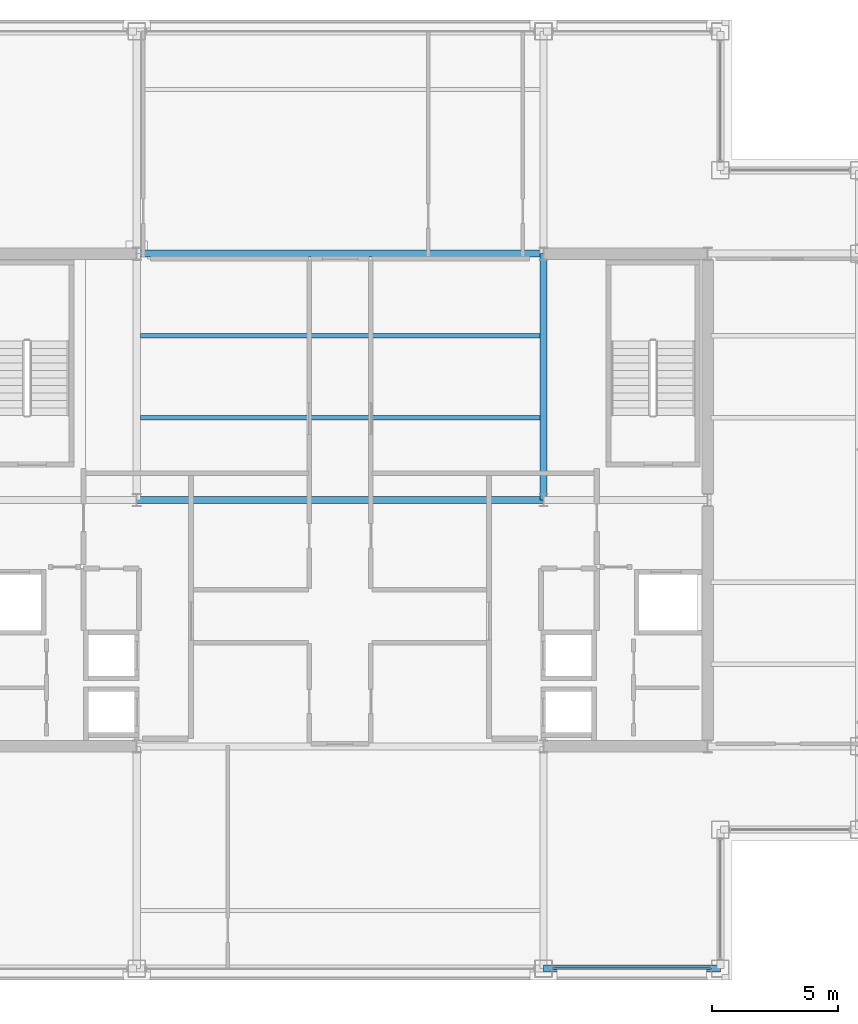
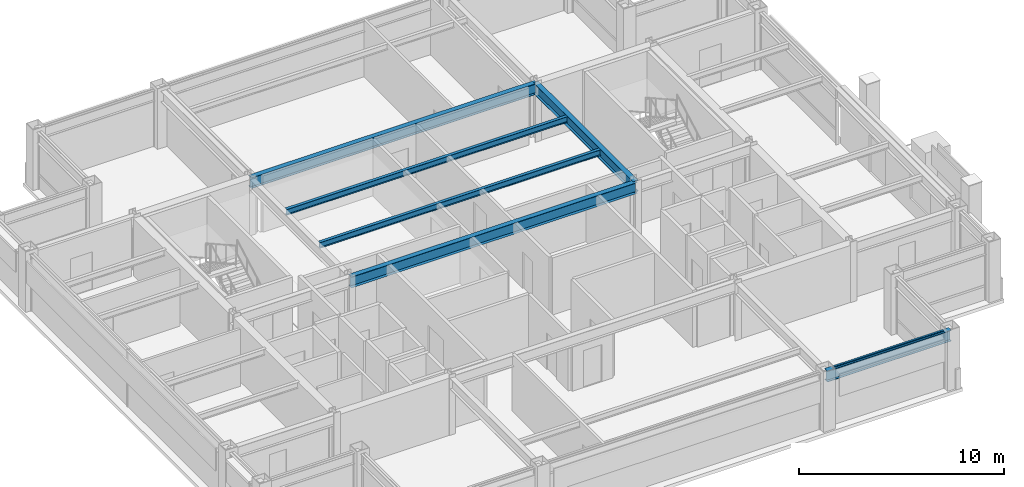
# One storey, part 11 of 28: 6 beams, 1 member, 1 element without a shape of its own.
"""IFC4 building model written with IfcOpenShell, lengths in metres."""

import ifcopenshell
import ifcopenshell.guid

model = None  # the IFC model being written
_history = None  # IfcOwnerHistory: only IFC2X3 demands one
_inside = {}  # id of a spatial element -> (the spatial element, [elements in it])
_under = {}  # id of a project, library or spatial element -> (it, [spatial elements below it])
_declared = {}  # id of a project -> (the project, [libraries it declares])
_typed = {}  # id of a type object -> (the type object, [elements of that type])
_made_of = {}  # id of a material, layer set ... -> (it, [elements and type objects made of it])


def new_model(schema):
    """Start an empty IFC model of exactly this schema.

    Asked for "IFC4X3", IfcOpenShell would pick the latest addendum, in which some entities
    have other attributes; the version numbers below select the first issue.
    IFC2X3 requires an IfcOwnerHistory on every rooted entity: one is made here for all.
    """
    global model, _history
    if schema == "IFC4X3":
        model = ifcopenshell.file(schema_version=(4, 3, 0, 0))
    else:
        model = ifcopenshell.file(schema=schema)
    _inside.clear()
    _under.clear()
    _declared.clear()
    _typed.clear()
    _made_of.clear()
    _history = None
    if model.schema == "IFC2X3":
        org = make("IfcOrganization", Name="unknown")
        user = make(
            "IfcPersonAndOrganization",
            ThePerson=make("IfcPerson", FamilyName="unknown"),
            TheOrganization=org,
        )
        app = make(
            "IfcApplication",
            ApplicationDeveloper=org,
            Version="unknown",
            ApplicationFullName="unknown",
            ApplicationIdentifier="unknown",
        )
        _history = make(
            "IfcOwnerHistory",
            OwningUser=user,
            OwningApplication=app,
            ChangeAction="ADDED",
            CreationDate=0,
        )
    return model


def make(cls, **values):
    """One entity of the class cls with the attributes given. An attribute that is None is left unset."""
    return model.create_entity(
        cls, **{name: value for name, value in values.items() if value is not None}
    )


def rooted(cls, **values):
    """An entity with a GlobalId (a new one), such as an element, a storey or a relation."""
    return make(cls, GlobalId=ifcopenshell.guid.new(), OwnerHistory=_history, **values)


def si_unit(unit_type, name, prefix=None):
    """IfcSIUnit, for example si_unit("LENGTHUNIT", "METRE", prefix="MILLI")."""
    return make("IfcSIUnit", UnitType=unit_type, Prefix=prefix, Name=name)


def assignment(units):
    """IfcUnitAssignment: the units of a project."""
    return None if units is None else make("IfcUnitAssignment", Units=units)


def point(xyz):
    """IfcCartesianPoint."""
    return None if xyz is None else make("IfcCartesianPoint", Coordinates=xyz)


def direction(xyz):
    """IfcDirection."""
    return None if xyz is None else make("IfcDirection", DirectionRatios=xyz)


def frame(location, z_axis=None, x_axis=None):
    """IfcAxis2Placement3D, a coordinate frame: its origin and axes. An axis left out is left unset."""
    return make(
        "IfcAxis2Placement3D",
        Location=point(location),
        Axis=direction(z_axis),
        RefDirection=direction(x_axis),
    )


def frame_2d(location, x_axis=None):
    """IfcAxis2Placement2D, a coordinate frame in the plane: its origin and x axis."""
    return make(
        "IfcAxis2Placement2D", Location=point(location), RefDirection=direction(x_axis)
    )


def origin():
    """The frame at (0, 0, 0) with its axes left unset."""
    return frame((0.0, 0.0, 0.0))


def origin_2d():
    """The frame at (0, 0) in the plane with its x axis left unset."""
    return frame_2d((0.0, 0.0))


def place(relative_to, where):
    """IfcLocalPlacement: puts the frame where relative to a parent placement (None: the world)."""
    return make(
        "IfcLocalPlacement", PlacementRelTo=relative_to, RelativePlacement=where
    )


def context(
    kind, dimensions, precision=None, world=None, true_north=None, identifier=None
):
    """IfcGeometricRepresentationContext, for example the 3D "Model" context."""
    return make(
        "IfcGeometricRepresentationContext",
        ContextIdentifier=identifier,
        ContextType=kind,
        CoordinateSpaceDimension=dimensions,
        Precision=precision,
        WorldCoordinateSystem=world,
        TrueNorth=true_north,
    )


def subcontext(parent, identifier, kind, view, scale=None):
    """IfcGeometricRepresentationSubContext, for example "Body" below "Model"."""
    return make(
        "IfcGeometricRepresentationSubContext",
        ContextIdentifier=identifier,
        ContextType=kind,
        ParentContext=parent,
        TargetScale=scale,
        TargetView=view,
    )


def project(units=None, contexts=None):
    """IfcProject with its units and contexts."""
    return rooted(
        "IfcProject",
        Name="project",
        RepresentationContexts=contexts,
        UnitsInContext=assignment(units),
    )


def spatial(cls, under=None, at=None, **own):
    """A site, building, storey or space (cls), placed at a placement, below another one or the project."""
    s = rooted(cls, ObjectPlacement=at, **own)
    if under is not None:
        _under.setdefault(under.id(), (under, []))[1].append(s)
    return s


def profile(cls, at=None, kind="AREA", **sizes):
    """A parametric profile (cls). Its sizes go by their IFC names, for example OverallWidth=200.0."""
    return make(cls, ProfileType=kind, Position=at, **sizes)


def hollow_rectangle(**sizes):
    """IfcRectangleHollowProfileDef."""
    return profile("IfcRectangleHollowProfileDef", **sizes)


def i_section(**sizes):
    """IfcIShapeProfileDef."""
    return profile("IfcIShapeProfileDef", **sizes)


def extrude(swept, where, along, depth):
    """IfcExtrudedAreaSolid: the profile swept, set in the frame where, extruded along a direction by depth."""
    return make(
        "IfcExtrudedAreaSolid",
        SweptArea=swept,
        Position=where,
        ExtrudedDirection=direction(along),
        Depth=depth,
    )


def shape(context_of_items, identifier, shape_type, items):
    """IfcShapeRepresentation: the items that make up one representation, for example the "Body"."""
    return make(
        "IfcShapeRepresentation",
        ContextOfItems=context_of_items,
        RepresentationIdentifier=identifier,
        RepresentationType=shape_type,
        Items=items,
    )


def material(Name=None, Category=None):
    """IfcMaterial."""
    return make("IfcMaterial", Name=Name, Category=Category)


def layer(
    of_material, thickness, ventilated=None, Name=None, Category=None, Priority=None
):
    """IfcMaterialLayer: one layer of a wall or slab, of a material (None: an air gap)."""
    return make(
        "IfcMaterialLayer",
        Material=of_material,
        LayerThickness=thickness,
        IsVentilated=ventilated,
        Name=Name,
        Category=Category,
        Priority=Priority,
    )


def layer_set(layers, Name=None):
    """IfcMaterialLayerSet."""
    return make("IfcMaterialLayerSet", MaterialLayers=layers, LayerSetName=Name)


def material_profile(
    of_material, cross_section, Name=None, Category=None, Priority=None
):
    """IfcMaterialProfile: a cross section and its material."""
    return make(
        "IfcMaterialProfile",
        Name=Name,
        Material=of_material,
        Profile=cross_section,
        Priority=Priority,
        Category=Category,
    )


def profile_set(profiles, Name=None, composite=None):
    """IfcMaterialProfileSet."""
    return make(
        "IfcMaterialProfileSet",
        Name=Name,
        MaterialProfiles=profiles,
        CompositeProfile=composite,
    )


def made_of(thing, what):
    """Note that an element or type object is made of a material, layer set ...; save() writes the relation."""
    if what is not None:
        _made_of.setdefault(what.id(), (what, []))[1].append(thing)
    return thing


def type_object(cls, material=None, **own):
    """A type object (cls), such as IfcWallType, which elements share."""
    return made_of(rooted(cls, **own), material)


def element(
    cls,
    number,
    at=None,
    inside=None,
    cuts=None,
    type_object=None,
    material=None,
    context=None,
    identifier="Body",
    shape_type=None,
    held_by="IfcProductDefinitionShape",
    body=None,
    shapes=None,
    **own,
):
    """One element of the class cls, such as IfcWall. Its Tag is "e" and its number.

    at: its placement. inside: the storey or other place that contains it. cuts: it is an
    opening in that element (IfcRelVoidsElement). A single representation is given by context,
    identifier, shape_type and body (its items); several are given by shapes. held_by: the class
    of the entity that holds the representations. save() writes the other relations.
    """
    e = rooted(cls, Tag="e%d" % number, ObjectPlacement=at, **own)
    if body is not None:
        shapes = [shape(context, identifier, shape_type, body)]
    if shapes is not None:
        e.Representation = make(held_by, Representations=shapes)
    if inside is not None:
        _inside.setdefault(inside.id(), (inside, []))[1].append(e)
    if cuts is not None:
        rooted(
            "IfcRelVoidsElement", RelatingBuildingElement=cuts, RelatedOpeningElement=e
        )
    if type_object is not None:
        _typed.setdefault(type_object.id(), (type_object, []))[1].append(e)
    return made_of(e, material)


def aggregate(whole, parts):
    """IfcRelAggregates: a whole, such as a stair, and the parts it consists of."""
    return rooted("IfcRelAggregates", RelatingObject=whole, RelatedObjects=parts)


def save(model, path):
    """Write the relations noted so far, then the file.

    IfcRelAggregates (storeys below a building ...), IfcRelContainedInSpatialStructure (elements
    in a storey), IfcRelDefinesByType, IfcRelAssociatesMaterial and IfcRelDeclares: one each for
    every whole, place, type object, material and project.
    """
    for whole, parts in _under.values():
        aggregate(whole, parts)
    for where, things in _inside.values():
        rooted(
            "IfcRelContainedInSpatialStructure",
            RelatedElements=things,
            RelatingStructure=where,
        )
    for kind, things in _typed.values():
        rooted("IfcRelDefinesByType", RelatedObjects=things, RelatingType=kind)
    for what, things in _made_of.values():
        rooted("IfcRelAssociatesMaterial", RelatedObjects=things, RelatingMaterial=what)
    for by, libraries in _declared.values():
        rooted("IfcRelDeclares", RelatingContext=by, RelatedDefinitions=libraries)
    model.write(path)


model = new_model("IFC4")

# Units and contexts
model_context = context("Model", 3, precision=1e-05, world=origin(), true_north=direction((0.0, 1.0)))
body_context = subcontext(model_context, "Body", "Model", "MODEL_VIEW")
ifc_project = project(units=[si_unit("LENGTHUNIT", "METRE"), si_unit("AREAUNIT", "SQUARE_METRE"), si_unit("VOLUMEUNIT", "CUBIC_METRE"), si_unit("PLANEANGLEUNIT", "RADIAN"), si_unit("MASSUNIT", "GRAM", prefix="KILO")], contexts=[model_context])

# Site, building, storey
site_placement = place(None, origin())
site = spatial("IfcSite", under=ifc_project, at=site_placement, CompositionType="ELEMENT")
building_placement = place(site_placement, origin())
building = spatial("IfcBuilding", under=site, at=building_placement, Name="Brelmoor Portico Tower", CompositionType="ELEMENT")
storey_placement = place(building_placement, frame((0.0, 0.0, 191.10009765625)))
storey = spatial("IfcBuildingStorey", under=building, at=storey_placement, Name="L50", CompositionType="ELEMENT", Elevation=191.10009765625)

# Beams
ifc_material_1 = material(Name="Steel Q355B", Category="steel")
ifc_material_profile_1 = material_profile(ifc_material_1, i_section(OverallWidth=0.175048828125, OverallDepth=0.35009765625, WebThickness=0.007080078125, FlangeThickness=0.010986328125, at=origin_2d()), Name="HN 350x175x7x11")
ifc_profile_set_1 = profile_set([ifc_material_profile_1], Name="Steel Q355B")
beam_type_1 = type_object("IfcBeamType", Name="BM-JS-350", PredefinedType="JOIST", material=ifc_profile_set_1)
for number, where, z_axis, x_axis, name in (
    (1, (-7.909912109375, 3.25, 3.224853515625), (1.0, 0.0, 0.0), (0.0, 1.0, 0.0), "L50 Secondary Composite Joist JS-C02"),
    (2, (-7.909912109375, 6.5, 3.224853515625), (1.0, 0.0, 0.0), (0.0, 1.0, 0.0), "L50 Secondary Composite Joist JS-C03"),
):
    element("IfcBeam", number, at=place(storey_placement, frame(where, z_axis=z_axis, x_axis=x_axis)), inside=storey, type_object=beam_type_1, Name=name, PredefinedType="JOIST", context=body_context, shape_type="SweptSolid", body=[
        extrude(i_section(OverallWidth=0.175048828125, OverallDepth=0.35009765625, WebThickness=0.007080078125, FlangeThickness=0.010986328125, at=origin_2d()), origin(), (0.0, 0.0, 1.0), 15.81982421875),
    ])
ifc_material_profile_2 = material_profile(ifc_material_1, i_section(OverallWidth=0.280029296875, OverallDepth=0.64990234375, WebThickness=0.012939453125, FlangeThickness=0.02197265625, at=origin_2d()), Name="HN 650x280x13x22")
ifc_profile_set_2 = profile_set([ifc_material_profile_2], Name="Steel Q355B")
beam_type_2 = type_object("IfcBeamType", Name="BM-PG-650", PredefinedType="BEAM", material=ifc_profile_set_2)
beam_1_placement = place(storey_placement, frame((8.050048828125, 0.0, 3.074951171875), z_axis=(0.0, 1.0, 0.0), x_axis=(-1.0, 0.0, 0.0)))
element("IfcBeam", 3, at=beam_1_placement, inside=storey, type_object=beam_type_2, Name="L50 Primary Floor Girder PG-07", PredefinedType="BEAM", context=body_context, shape_type="SweptSolid", body=[
    extrude(i_section(OverallWidth=0.280029296875, OverallDepth=0.64990234375, WebThickness=0.012939453125, FlangeThickness=0.02197265625, at=origin_2d()), origin(), (0.0, 0.0, 1.0), 9.75),
])
for number, where, z_axis, x_axis, name in (
    (4, (-8.050048828125, 0.0, 3.074951171875), (1.0, 0.0, 0.0), (0.0, 1.0, 0.0), "L50 Primary Floor Girder PG-17"),
    (5, (-8.050048828125, 9.75, 3.074951171875), (1.0, 0.0, 0.0), (0.0, 1.0, 0.0), "L50 Primary Floor Girder PG-21"),
):
    element("IfcBeam", number, at=place(storey_placement, frame(where, z_axis=z_axis, x_axis=x_axis)), inside=storey, type_object=beam_type_2, Name=name, PredefinedType="BEAM", context=body_context, shape_type="SweptSolid", body=[
        extrude(i_section(OverallWidth=0.280029296875, OverallDepth=0.64990234375, WebThickness=0.012939453125, FlangeThickness=0.02197265625, at=origin_2d()), origin(), (0.0, 0.0, 1.0), 16.10009765625),
    ])
ifc_material_profile_3 = material_profile(ifc_material_1, i_section(OverallWidth=0.280029296875, OverallDepth=0.64990234375, WebThickness=0.012939453125, FlangeThickness=0.02197265625, at=origin_2d()), Name="HN 650x280x13x22")
ifc_profile_set_3 = profile_set([ifc_material_profile_3], Name="Steel Q355B")
beam_type_3 = type_object("IfcBeamType", Name="BM-SP-650", PredefinedType="SPANDREL", material=ifc_profile_set_3)
beam_2_placement = place(storey_placement, frame((8.050048828125, -18.550048828125, 3.074951171875), z_axis=(1.0, 0.0, 0.0), x_axis=(0.0, 1.0, 0.0)))
element("IfcBeam", 6, at=beam_2_placement, inside=storey, type_object=beam_type_3, Name="L50 Perimeter Spandrel Beam SP-03", PredefinedType="SPANDREL", context=body_context, shape_type="SweptSolid", body=[
    extrude(i_section(OverallWidth=0.280029296875, OverallDepth=0.64990234375, WebThickness=0.012939453125, FlangeThickness=0.02197265625, at=origin_2d()), origin(), (0.0, 0.0, 1.0), 7.0),
])

# Curtain wall, member
ifc_material_2 = material(Name="Anodised Aluminium Alloy 6063-T6", Category="aluminium")
ifc_layer = layer(ifc_material_2, 0.179931640625)
ifc_layer_set = layer_set([ifc_layer], Name="Anodised Aluminium Alloy 6063-T6")
curtain_wall_type = type_object("IfcCurtainWallType", Name="CW-TOWER-Z3-XB", PredefinedType="NOTDEFINED", material=ifc_layer_set)
curtain_wall_placement = place(storey_placement, origin())
curtain_wall = element("IfcCurtainWall", 7, at=curtain_wall_placement, inside=storey, type_object=curtain_wall_type, Name="L50 Curtain Wall CW-L50-01-3", PredefinedType="NOTDEFINED")
ifc_material_profile_4 = material_profile(ifc_material_2, hollow_rectangle(XDim=0.06005859375, YDim=0.125, WallThickness=0.00341796875, at=origin_2d()), Name="ALU TRANSOM 60x125")
ifc_profile_set_4 = profile_set([ifc_material_profile_4], Name="Anodised Aluminium Alloy 6063-T6")
member_type = type_object("IfcMemberType", Name="MB-CW-TRAN-125", PredefinedType="USERDEFINED", material=ifc_profile_set_4)
member_placement = place(storey_placement, frame((8.409912109375, -18.550048828125, 3.33740234375), z_axis=(1.0, 0.0, 0.0), x_axis=(0.0, 1.0, 0.0)))
member = element("IfcMember", 8, at=member_placement, type_object=member_type, Name="CW-L50-01-3 Transom 1-00", ObjectType="TRANSOM", PredefinedType="USERDEFINED", context=body_context, shape_type="SweptSolid", body=[
    extrude(hollow_rectangle(XDim=0.06005859375, YDim=0.125, WallThickness=0.00341796875, at=origin_2d()), origin(), (0.0, 0.0, 1.0), 6.280029296875),
])
aggregate(curtain_wall, [member])

save(model, "model.ifc")
